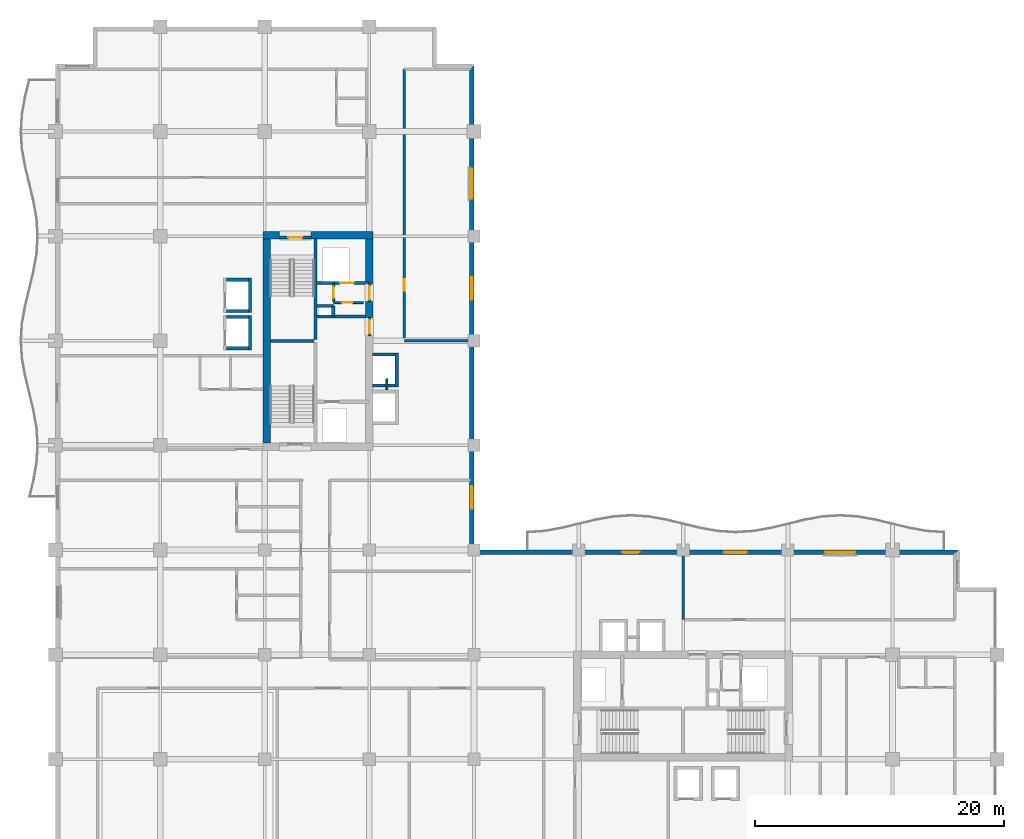
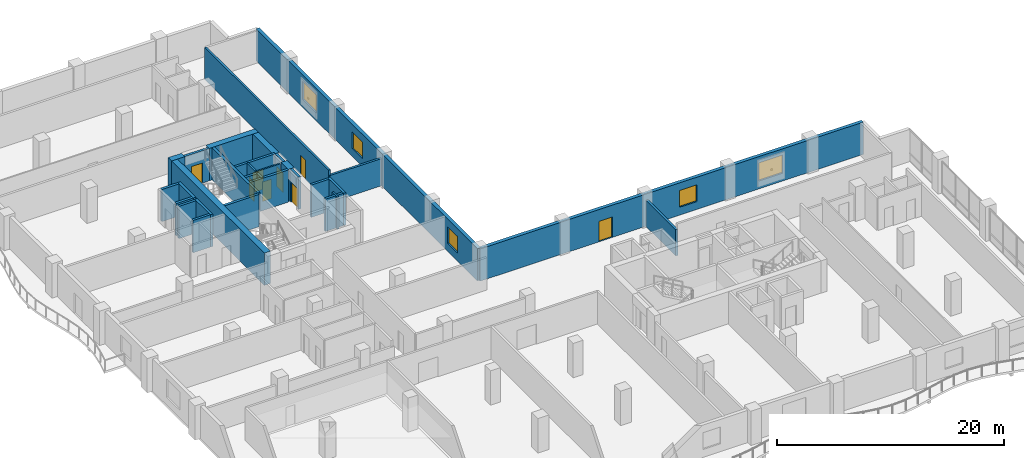
# One storey, part 12 of 20: 31 walls, 8 doors, 5 windows, 13 openings.
"""IFC4 building model written with IfcOpenShell, lengths in metres."""

import ifcopenshell
import ifcopenshell.guid

model = None  # the IFC model being written
_history = None  # IfcOwnerHistory: only IFC2X3 demands one
_inside = {}  # id of a spatial element -> (the spatial element, [elements in it])
_under = {}  # id of a project, library or spatial element -> (it, [spatial elements below it])
_declared = {}  # id of a project -> (the project, [libraries it declares])
_typed = {}  # id of a type object -> (the type object, [elements of that type])
_made_of = {}  # id of a material, layer set ... -> (it, [elements and type objects made of it])


def new_model(schema):
    """Start an empty IFC model of exactly this schema.

    Asked for "IFC4X3", IfcOpenShell would pick the latest addendum, in which some entities
    have other attributes; the version numbers below select the first issue.
    IFC2X3 requires an IfcOwnerHistory on every rooted entity: one is made here for all.
    """
    global model, _history
    if schema == "IFC4X3":
        model = ifcopenshell.file(schema_version=(4, 3, 0, 0))
    else:
        model = ifcopenshell.file(schema=schema)
    _inside.clear()
    _under.clear()
    _declared.clear()
    _typed.clear()
    _made_of.clear()
    _history = None
    if model.schema == "IFC2X3":
        org = make("IfcOrganization", Name="unknown")
        user = make(
            "IfcPersonAndOrganization",
            ThePerson=make("IfcPerson", FamilyName="unknown"),
            TheOrganization=org,
        )
        app = make(
            "IfcApplication",
            ApplicationDeveloper=org,
            Version="unknown",
            ApplicationFullName="unknown",
            ApplicationIdentifier="unknown",
        )
        _history = make(
            "IfcOwnerHistory",
            OwningUser=user,
            OwningApplication=app,
            ChangeAction="ADDED",
            CreationDate=0,
        )
    return model


def make(cls, **values):
    """One entity of the class cls with the attributes given. An attribute that is None is left unset."""
    return model.create_entity(
        cls, **{name: value for name, value in values.items() if value is not None}
    )


def rooted(cls, **values):
    """An entity with a GlobalId (a new one), such as an element, a storey or a relation."""
    return make(cls, GlobalId=ifcopenshell.guid.new(), OwnerHistory=_history, **values)


def si_unit(unit_type, name, prefix=None):
    """IfcSIUnit, for example si_unit("LENGTHUNIT", "METRE", prefix="MILLI")."""
    return make("IfcSIUnit", UnitType=unit_type, Prefix=prefix, Name=name)


def assignment(units):
    """IfcUnitAssignment: the units of a project."""
    return None if units is None else make("IfcUnitAssignment", Units=units)


def point(xyz):
    """IfcCartesianPoint."""
    return None if xyz is None else make("IfcCartesianPoint", Coordinates=xyz)


def direction(xyz):
    """IfcDirection."""
    return None if xyz is None else make("IfcDirection", DirectionRatios=xyz)


def frame(location, z_axis=None, x_axis=None):
    """IfcAxis2Placement3D, a coordinate frame: its origin and axes. An axis left out is left unset."""
    return make(
        "IfcAxis2Placement3D",
        Location=point(location),
        Axis=direction(z_axis),
        RefDirection=direction(x_axis),
    )


def frame_2d(location, x_axis=None):
    """IfcAxis2Placement2D, a coordinate frame in the plane: its origin and x axis."""
    return make(
        "IfcAxis2Placement2D", Location=point(location), RefDirection=direction(x_axis)
    )


def origin():
    """The frame at (0, 0, 0) with its axes left unset."""
    return frame((0.0, 0.0, 0.0))


def place(relative_to, where):
    """IfcLocalPlacement: puts the frame where relative to a parent placement (None: the world)."""
    return make(
        "IfcLocalPlacement", PlacementRelTo=relative_to, RelativePlacement=where
    )


def context(
    kind, dimensions, precision=None, world=None, true_north=None, identifier=None
):
    """IfcGeometricRepresentationContext, for example the 3D "Model" context."""
    return make(
        "IfcGeometricRepresentationContext",
        ContextIdentifier=identifier,
        ContextType=kind,
        CoordinateSpaceDimension=dimensions,
        Precision=precision,
        WorldCoordinateSystem=world,
        TrueNorth=true_north,
    )


def subcontext(parent, identifier, kind, view, scale=None):
    """IfcGeometricRepresentationSubContext, for example "Body" below "Model"."""
    return make(
        "IfcGeometricRepresentationSubContext",
        ContextIdentifier=identifier,
        ContextType=kind,
        ParentContext=parent,
        TargetScale=scale,
        TargetView=view,
    )


def project(units=None, contexts=None):
    """IfcProject with its units and contexts."""
    return rooted(
        "IfcProject",
        Name="project",
        RepresentationContexts=contexts,
        UnitsInContext=assignment(units),
    )


def spatial(cls, under=None, at=None, **own):
    """A site, building, storey or space (cls), placed at a placement, below another one or the project."""
    s = rooted(cls, ObjectPlacement=at, **own)
    if under is not None:
        _under.setdefault(under.id(), (under, []))[1].append(s)
    return s


def profile(cls, at=None, kind="AREA", **sizes):
    """A parametric profile (cls). Its sizes go by their IFC names, for example OverallWidth=200.0."""
    return make(cls, ProfileType=kind, Position=at, **sizes)


def rectangle(**sizes):
    """IfcRectangleProfileDef."""
    return profile("IfcRectangleProfileDef", **sizes)


def extrude(swept, where, along, depth):
    """IfcExtrudedAreaSolid: the profile swept, set in the frame where, extruded along a direction by depth."""
    return make(
        "IfcExtrudedAreaSolid",
        SweptArea=swept,
        Position=where,
        ExtrudedDirection=direction(along),
        Depth=depth,
    )


def shape(context_of_items, identifier, shape_type, items):
    """IfcShapeRepresentation: the items that make up one representation, for example the "Body"."""
    return make(
        "IfcShapeRepresentation",
        ContextOfItems=context_of_items,
        RepresentationIdentifier=identifier,
        RepresentationType=shape_type,
        Items=items,
    )


def material(Name=None, Category=None):
    """IfcMaterial."""
    return make("IfcMaterial", Name=Name, Category=Category)


def layer(
    of_material, thickness, ventilated=None, Name=None, Category=None, Priority=None
):
    """IfcMaterialLayer: one layer of a wall or slab, of a material (None: an air gap)."""
    return make(
        "IfcMaterialLayer",
        Material=of_material,
        LayerThickness=thickness,
        IsVentilated=ventilated,
        Name=Name,
        Category=Category,
        Priority=Priority,
    )


def layer_set(layers, Name=None):
    """IfcMaterialLayerSet."""
    return make("IfcMaterialLayerSet", MaterialLayers=layers, LayerSetName=Name)


def made_of(thing, what):
    """Note that an element or type object is made of a material, layer set ...; save() writes the relation."""
    if what is not None:
        _made_of.setdefault(what.id(), (what, []))[1].append(thing)
    return thing


def type_object(cls, material=None, **own):
    """A type object (cls), such as IfcWallType, which elements share."""
    return made_of(rooted(cls, **own), material)


def element(
    cls,
    number,
    at=None,
    inside=None,
    cuts=None,
    type_object=None,
    material=None,
    context=None,
    identifier="Body",
    shape_type=None,
    held_by="IfcProductDefinitionShape",
    body=None,
    shapes=None,
    **own,
):
    """One element of the class cls, such as IfcWall. Its Tag is "e" and its number.

    at: its placement. inside: the storey or other place that contains it. cuts: it is an
    opening in that element (IfcRelVoidsElement). A single representation is given by context,
    identifier, shape_type and body (its items); several are given by shapes. held_by: the class
    of the entity that holds the representations. save() writes the other relations.
    """
    e = rooted(cls, Tag="e%d" % number, ObjectPlacement=at, **own)
    if body is not None:
        shapes = [shape(context, identifier, shape_type, body)]
    if shapes is not None:
        e.Representation = make(held_by, Representations=shapes)
    if inside is not None:
        _inside.setdefault(inside.id(), (inside, []))[1].append(e)
    if cuts is not None:
        rooted(
            "IfcRelVoidsElement", RelatingBuildingElement=cuts, RelatedOpeningElement=e
        )
    if type_object is not None:
        _typed.setdefault(type_object.id(), (type_object, []))[1].append(e)
    return made_of(e, material)


def fill(opening, filler):
    """IfcRelFillsElement: the door or window that sits in an opening."""
    return rooted(
        "IfcRelFillsElement",
        RelatingOpeningElement=opening,
        RelatedBuildingElement=filler,
    )


def aggregate(whole, parts):
    """IfcRelAggregates: a whole, such as a stair, and the parts it consists of."""
    return rooted("IfcRelAggregates", RelatingObject=whole, RelatedObjects=parts)


def save(model, path):
    """Write the relations noted so far, then the file.

    IfcRelAggregates (storeys below a building ...), IfcRelContainedInSpatialStructure (elements
    in a storey), IfcRelDefinesByType, IfcRelAssociatesMaterial and IfcRelDeclares: one each for
    every whole, place, type object, material and project.
    """
    for whole, parts in _under.values():
        aggregate(whole, parts)
    for where, things in _inside.values():
        rooted(
            "IfcRelContainedInSpatialStructure",
            RelatedElements=things,
            RelatingStructure=where,
        )
    for kind, things in _typed.values():
        rooted("IfcRelDefinesByType", RelatedObjects=things, RelatingType=kind)
    for what, things in _made_of.values():
        rooted("IfcRelAssociatesMaterial", RelatedObjects=things, RelatingMaterial=what)
    for by, libraries in _declared.values():
        rooted("IfcRelDeclares", RelatingContext=by, RelatedDefinitions=libraries)
    model.write(path)


model = new_model("IFC4")

# Units and contexts
model_context = context("Model", 3, precision=1e-05, world=origin(), true_north=direction((0.0, 1.0)))
body_context = subcontext(model_context, "Body", "Model", "MODEL_VIEW")
ifc_project = project(units=[si_unit("LENGTHUNIT", "METRE"), si_unit("AREAUNIT", "SQUARE_METRE"), si_unit("VOLUMEUNIT", "CUBIC_METRE"), si_unit("PLANEANGLEUNIT", "RADIAN"), si_unit("MASSUNIT", "GRAM", prefix="KILO")], contexts=[model_context])

# Site, building, storey
site_placement = place(None, origin())
site = spatial("IfcSite", under=ifc_project, at=site_placement, CompositionType="ELEMENT")
building_placement = place(site_placement, origin())
building = spatial("IfcBuilding", under=site, at=building_placement, Name="Koriwani Terraces Tower", CompositionType="ELEMENT")
storey_placement = place(building_placement, frame((0.0, 0.0, 212.39990234375)))
storey = spatial("IfcBuildingStorey", under=building, at=storey_placement, Name="L52", CompositionType="ELEMENT", Elevation=212.39990234375)

# Walls
ifc_material_1 = material(Name="Concrete C60/75", Category="concrete")
ifc_layer_1 = layer(ifc_material_1, 0.60009765625, Name="Concrete C60/75")
ifc_layer_set_1 = layer_set([ifc_layer_1], Name="Concrete C60/75")
wall_type_1 = type_object("IfcWallType", Name="WALL_CORE_RC_600", PredefinedType="SHEAR", material=ifc_layer_set_1)
wall_1_placement = place(storey_placement, frame((16.64990234375, 58.85009765625, 0.0), z_axis=(0.0, 0.0, 1.0), x_axis=(1.0, 0.0, 0.0)))
element("IfcWall", 1, at=wall_1_placement, inside=storey, type_object=wall_type_1, Name="L52 West Split Core Shear Wall N1", PredefinedType="SHEAR", context=body_context, shape_type="SweptSolid", body=[
    extrude(rectangle(XDim=1.35009765625, YDim=0.60009765625, at=frame_2d((0.675048828125, 0.0))), origin(), (0.0, 0.0, 1.0), 3.47021484375),
])
wall_2_placement = place(storey_placement, frame((20.5, 58.85009765625, 0.0), z_axis=(0.0, 0.0, 1.0), x_axis=(1.0, 0.0, 0.0)))
element("IfcWall", 2, at=wall_2_placement, inside=storey, type_object=wall_type_1, Name="L52 West Split Core Shear Wall N2", PredefinedType="SHEAR", context=body_context, shape_type="SweptSolid", body=[
    extrude(rectangle(XDim=5.0, YDim=0.60009765625, at=frame_2d((2.5, 0.0))), origin(), (0.0, 0.0, 1.0), 3.47021484375),
])
wall_3_placement = place(storey_placement, frame((16.949951171875, 42.199951171875, 0.0), z_axis=(0.0, 0.0, 1.0), x_axis=(0.0, 1.0, 0.0)))
element("IfcWall", 3, at=wall_3_placement, inside=storey, type_object=wall_type_1, Name="L52 West Split Core Shear Wall W1", PredefinedType="SHEAR", context=body_context, shape_type="SweptSolid", body=[
    extrude(rectangle(XDim=16.35009765625, YDim=0.60009765625, at=frame_2d((8.175048828125, 0.0))), origin(), (0.0, 0.0, 1.0), 3.47021484375),
])
wall_4_placement = place(storey_placement, frame((25.199951171875, 52.280029296875, 0.0), z_axis=(0.0, 0.0, 1.0), x_axis=(0.0, 1.0, 0.0)))
element("IfcWall", 4, at=wall_4_placement, inside=storey, type_object=wall_type_1, Name="L52 West Split Core Shear Wall E2", PredefinedType="SHEAR", context=body_context, shape_type="SweptSolid", body=[
    extrude(rectangle(XDim=1.27001953125, YDim=0.60009765625, at=frame_2d((0.635009765625, 0.0))), origin(), (0.0, 0.0, 1.0), 3.47021484375),
])
wall_5_placement = place(storey_placement, frame((25.199951171875, 54.949951171875, 0.0), z_axis=(0.0, 0.0, 1.0), x_axis=(0.0, 1.0, 0.0)))
element("IfcWall", 5, at=wall_5_placement, inside=storey, type_object=wall_type_1, Name="L52 West Split Core Shear Wall E3", PredefinedType="SHEAR", context=body_context, shape_type="SweptSolid", body=[
    extrude(rectangle(XDim=3.60009765625, YDim=0.60009765625, at=frame_2d((1.800048828125, 0.0))), origin(), (0.0, 0.0, 1.0), 3.47021484375),
])

# Wall, opening, door
ifc_material_2 = material(Name="Autoclaved Cellular Concrete Blockwork", Category="masonry")
ifc_layer_2 = layer(ifc_material_2, 0.199951171875, Name="Autoclaved Cellular Concrete Blockwork")
ifc_layer_set_2 = layer_set([ifc_layer_2], Name="Autoclaved Cellular Concrete Blockwork")
wall_type_2 = type_object("IfcWallType", Name="WALL_CORRIDOR_200", PredefinedType="PARTITIONING", material=ifc_layer_set_2)
wall_6_placement = place(storey_placement, frame((28.0, 50.39990234375, 0.0), z_axis=(0.0, 0.0, 1.0), x_axis=(0.0, 1.0, 0.0)))
wall_6 = element("IfcWall", 6, at=wall_6_placement, inside=storey, type_object=wall_type_2, Name="L52 Interior Wall WNEC-W-L52", PredefinedType="PARTITIONING", context=body_context, shape_type="SweptSolid", body=[
    extrude(rectangle(XDim=21.800048828125, YDim=0.199951171875, at=frame_2d((10.89990234375, 0.0))), origin(), (0.0, 0.0, 1.0), 3.47021484375),
])
opening_1_placement = place(wall_6_placement, frame((4.0, 0.0, 0.0)))
opening_1 = element("IfcOpeningElement", 7, at=opening_1_placement, cuts=wall_6, Name="Opening D-06", PredefinedType="OPENING", context=body_context, shape_type="SweptSolid", body=[
    extrude(rectangle(XDim=0.919921875, YDim=2.10009765625, at=frame_2d((0.4599609375, 1.050048828125))), frame((0.0, 0.10986328125, 0.0), z_axis=(0.0, -1.0, 0.0), x_axis=(1.0, 0.0, 0.0)), (0.0, 0.0, 1.0), 0.219970703125),
])
ifc_material_3 = material(Name="Architectural Oak Fire Door", Category="wood")
door_type_1 = type_object("IfcDoorType", Name="DOOR_ROOM_INT_920X2100", OperationType="NOTDEFINED", PredefinedType="DOOR", material=ifc_material_3)
door_1_placement = place(opening_1_placement, origin())
door_1 = element("IfcDoor", 8, at=door_1_placement, inside=storey, type_object=door_type_1, Name="L52 North Court Study Door", OperationType="SINGLE_SWING_LEFT", OverallHeight=2.10009765625, OverallWidth=0.919921875, PredefinedType="DOOR", context=body_context, shape_type="SweptSolid", body=[
    extrude(rectangle(XDim=0.919921875, YDim=2.10009765625, at=frame_2d((0.4599609375, 1.050048828125))), frame((0.0, 0.02490234375, 0.0), z_axis=(0.0, -1.0, 0.0), x_axis=(1.0, 0.0, 0.0)), (0.0, 0.0, 1.0), 0.050048828125),
])
fill(opening_1, door_1)

# Walls
ifc_layer_3 = layer(ifc_material_2, 0.219970703125, Name="Autoclaved Cellular Concrete Blockwork")
ifc_layer_set_3 = layer_set([ifc_layer_3], Name="Autoclaved Cellular Concrete Blockwork")
wall_type_3 = type_object("IfcWallType", Name="WALL_DEMISING_220", PredefinedType="PARTITIONING", material=ifc_layer_set_3)
wall_7_placement = place(storey_placement, frame((28.0, 50.39990234375, 0.0), z_axis=(0.0, 0.0, 1.0), x_axis=(1.0, 0.0, 0.0)))
element("IfcWall", 9, at=wall_7_placement, inside=storey, type_object=wall_type_3, Name="L52 Interior Wall WNEC-S-L52", PredefinedType="PARTITIONING", context=body_context, shape_type="SweptSolid", body=[
    extrude(rectangle(XDim=5.300048828125, YDim=0.219970703125, at=frame_2d((2.64990234375, 0.0))), origin(), (0.0, 0.0, 1.0), 2.93115234375),
])
wall_8_placement = place(storey_placement, frame((50.39990234375, 28.0, 0.0), z_axis=(0.0, 0.0, 1.0), x_axis=(0.0, 1.0, 0.0)))
element("IfcWall", 10, at=wall_8_placement, inside=storey, type_object=wall_type_3, Name="L52 Interior Wall WSEC-W-L52", PredefinedType="PARTITIONING", context=body_context, shape_type="SweptSolid", body=[
    extrude(rectangle(XDim=5.300048828125, YDim=0.219970703125, at=frame_2d((2.64990234375, 0.0))), origin(), (0.0, 0.0, 1.0), 2.820068359375),
])

# Wall, openings, windows
ifc_material_4 = material(Name="Concrete C50/60", Category="concrete")
ifc_layer_4 = layer(ifc_material_4, 0.35009765625, Name="Concrete C50/60")
ifc_layer_set_4 = layer_set([ifc_layer_4], Name="Concrete C50/60")
wall_type_4 = type_object("IfcWallType", Name="WALL_EXT_BRUTALIST_350", PredefinedType="STANDARD", material=ifc_layer_set_4)
wall_9_placement = place(storey_placement, frame((33.425048828125, 72.425048828125, 0.0), z_axis=(0.0, 0.0, 1.0), x_axis=(0.0, -1.0, 0.0)))
wall_9 = element("IfcWall", 11, at=wall_9_placement, inside=storey, type_object=wall_type_4, Name="L52 Fair-Faced Brutalist Exterior Wall (NW_IN)", PredefinedType="STANDARD", context=body_context, shape_type="SweptSolid", body=[
    extrude(rectangle(XDim=39.0, YDim=0.35009765625, at=frame_2d((19.5, 0.0))), origin(), (0.0, 0.0, 1.0), 3.47021484375),
])
opening_2_placement = place(wall_9_placement, frame((33.72509765625, 0.0, 0.85009765625)))
opening_2 = element("IfcOpeningElement", 12, at=opening_2_placement, cuts=wall_9, Name="Opening W-04", PredefinedType="OPENING", context=body_context, shape_type="SweptSolid", body=[
    extrude(rectangle(XDim=1.800048828125, YDim=1.800048828125, at=frame_2d((0.89990234375, 0.89990234375))), frame((0.0, 0.18505859375, 0.0), z_axis=(0.0, -1.0, 0.0), x_axis=(1.0, 0.0, 0.0)), (0.0, 0.0, 1.0), 0.3701171875),
])
opening_3_placement = place(wall_9_placement, frame((16.925048828125, 0.0, 0.85009765625)))
opening_3 = element("IfcOpeningElement", 13, at=opening_3_placement, cuts=wall_9, Name="Opening W-04", PredefinedType="OPENING", context=body_context, shape_type="SweptSolid", body=[
    extrude(rectangle(XDim=1.800048828125, YDim=1.800048828125, at=frame_2d((0.89990234375, 0.89990234375))), frame((0.0, 0.18505859375, 0.0), z_axis=(0.0, -1.0, 0.0), x_axis=(1.0, 0.0, 0.0)), (0.0, 0.0, 1.0), 0.3701171875),
])
opening_4_placement = place(wall_9_placement, frame((8.22509765625, 0.0, 0.85009765625)))
opening_4 = element("IfcOpeningElement", 14, at=opening_4_placement, cuts=wall_9, Name="Opening W-03", PredefinedType="OPENING", context=body_context, shape_type="SweptSolid", body=[
    extrude(rectangle(XDim=2.39990234375, YDim=1.949951171875, at=frame_2d((1.199951171875, 0.97509765625))), frame((0.0, 0.18505859375, 0.0), z_axis=(0.0, -1.0, 0.0), x_axis=(1.0, 0.0, 0.0)), (0.0, 0.0, 1.0), 0.3701171875),
])
ifc_material_5 = material(Name="Tempered Laminated Low-E Glass", Category="glass")
window_type_1 = type_object("IfcWindowType", Name="WIN_RES_BED_1800X1800", PartitioningType="DOUBLE_PANEL_VERTICAL", PredefinedType="WINDOW", material=ifc_material_5)
window_1_placement = place(opening_2_placement, origin())
window_1 = element("IfcWindow", 15, at=window_1_placement, inside=storey, type_object=window_type_1, Name="L52 Exterior Window (NW_IN-2)", OverallHeight=1.800048828125, OverallWidth=1.800048828125, PartitioningType="SINGLE_PANEL", PredefinedType="WINDOW", context=body_context, shape_type="SweptSolid", body=[
    extrude(rectangle(XDim=1.800048828125, YDim=1.800048828125, at=frame_2d((0.89990234375, 0.89990234375))), frame((0.0, 0.030029296875, 0.0), z_axis=(0.0, -1.0, 0.0), x_axis=(1.0, 0.0, 0.0)), (0.0, 0.0, 1.0), 0.06005859375),
])
fill(opening_2, window_1)
window_2_placement = place(opening_3_placement, origin())
window_2 = element("IfcWindow", 16, at=window_2_placement, inside=storey, type_object=window_type_1, Name="L52 Exterior Window (NW_IN-8)", OverallHeight=1.800048828125, OverallWidth=1.800048828125, PartitioningType="SINGLE_PANEL", PredefinedType="WINDOW", context=body_context, shape_type="SweptSolid", body=[
    extrude(rectangle(XDim=1.800048828125, YDim=1.800048828125, at=frame_2d((0.89990234375, 0.89990234375))), frame((0.0, 0.030029296875, 0.0), z_axis=(0.0, -1.0, 0.0), x_axis=(1.0, 0.0, 0.0)), (0.0, 0.0, 1.0), 0.06005859375),
])
fill(opening_3, window_2)
window_type_2 = type_object("IfcWindowType", Name="WIN_RES_LIVING_2400X1950", PartitioningType="DOUBLE_PANEL_VERTICAL", PredefinedType="WINDOW", material=ifc_material_5)
window_3_placement = place(opening_4_placement, origin())
window_3 = element("IfcWindow", 17, at=window_3_placement, inside=storey, type_object=window_type_2, Name="L52 Exterior Window (NW_IN-11)", OverallHeight=1.949951171875, OverallWidth=2.39990234375, PartitioningType="SINGLE_PANEL", PredefinedType="WINDOW", context=body_context, shape_type="SweptSolid", body=[
    extrude(rectangle(XDim=2.39990234375, YDim=1.949951171875, at=frame_2d((1.199951171875, 0.97509765625))), frame((0.0, 0.030029296875, 0.0), z_axis=(0.0, -1.0, 0.0), x_axis=(1.0, 0.0, 0.0)), (0.0, 0.0, 1.0), 0.06005859375),
])
fill(opening_4, window_3)

# Wall, openings, door, windows
wall_10_placement = place(storey_placement, frame((33.425048828125, 33.425048828125, 0.0), z_axis=(0.0, 0.0, 1.0), x_axis=(1.0, 0.0, 0.0)))
wall_10 = element("IfcWall", 18, at=wall_10_placement, inside=storey, type_object=wall_type_4, Name="L52 Fair-Faced Brutalist Exterior Wall (NE)", PredefinedType="STANDARD", context=body_context, shape_type="SweptSolid", body=[
    extrude(rectangle(XDim=39.0, YDim=0.35009765625, at=frame_2d((19.5, 0.0))), origin(), (0.0, 0.0, 1.0), 3.47021484375),
])
opening_5_placement = place(wall_10_placement, frame((12.074951171875, 0.0, 0.0)))
opening_5 = element("IfcOpeningElement", 19, at=opening_5_placement, cuts=wall_10, Name="Opening D-09", PredefinedType="OPENING", context=body_context, shape_type="SweptSolid", body=[
    extrude(rectangle(XDim=1.39990234375, YDim=2.199951171875, at=frame_2d((0.699951171875, 1.10009765625))), frame((0.0, 0.18505859375, 0.0), z_axis=(0.0, -1.0, 0.0), x_axis=(1.0, 0.0, 0.0)), (0.0, 0.0, 1.0), 0.3701171875),
])
opening_6_placement = place(wall_10_placement, frame((20.27490234375, 0.0, 0.85009765625)))
opening_6 = element("IfcOpeningElement", 20, at=opening_6_placement, cuts=wall_10, Name="Opening W-04", PredefinedType="OPENING", context=body_context, shape_type="SweptSolid", body=[
    extrude(rectangle(XDim=1.800048828125, YDim=1.800048828125, at=frame_2d((0.89990234375, 0.89990234375))), frame((0.0, 0.18505859375, 0.0), z_axis=(0.0, -1.0, 0.0), x_axis=(1.0, 0.0, 0.0)), (0.0, 0.0, 1.0), 0.3701171875),
])
opening_7_placement = place(wall_10_placement, frame((28.375, 0.0, 0.85009765625)))
opening_7 = element("IfcOpeningElement", 21, at=opening_7_placement, cuts=wall_10, Name="Opening W-03", PredefinedType="OPENING", context=body_context, shape_type="SweptSolid", body=[
    extrude(rectangle(XDim=2.39990234375, YDim=1.949951171875, at=frame_2d((1.199951171875, 0.97509765625))), frame((0.0, 0.18505859375, 0.0), z_axis=(0.0, -1.0, 0.0), x_axis=(1.0, 0.0, 0.0)), (0.0, 0.0, 1.0), 0.3701171875),
])
ifc_material_6 = material(Name="Anodised Bronze Aluminium", Category="aluminium")
door_type_2 = type_object("IfcDoorType", Name="DOOR_BALCONY_GLAZED_1400X2200", OperationType="NOTDEFINED", PredefinedType="DOOR", material=ifc_material_6)
door_2_placement = place(opening_5_placement, origin())
door_2 = element("IfcDoor", 22, at=door_2_placement, inside=storey, type_object=door_type_2, Name="L52 Inner Court Balcony Glazed Door", OperationType="SINGLE_SWING_LEFT", OverallHeight=2.199951171875, OverallWidth=1.39990234375, PredefinedType="DOOR", context=body_context, shape_type="SweptSolid", body=[
    extrude(rectangle(XDim=1.39990234375, YDim=2.199951171875, at=frame_2d((0.699951171875, 1.10009765625))), frame((0.0, 0.02490234375, 0.0), z_axis=(0.0, -1.0, 0.0), x_axis=(1.0, 0.0, 0.0)), (0.0, 0.0, 1.0), 0.050048828125),
])
fill(opening_5, door_2)
window_4_placement = place(opening_6_placement, origin())
window_4 = element("IfcWindow", 23, at=window_4_placement, inside=storey, type_object=window_type_1, Name="L52 Exterior Window (NE-8)", OverallHeight=1.800048828125, OverallWidth=1.800048828125, PartitioningType="SINGLE_PANEL", PredefinedType="WINDOW", context=body_context, shape_type="SweptSolid", body=[
    extrude(rectangle(XDim=1.800048828125, YDim=1.800048828125, at=frame_2d((0.89990234375, 0.89990234375))), frame((0.0, 0.030029296875, 0.0), z_axis=(0.0, -1.0, 0.0), x_axis=(1.0, 0.0, 0.0)), (0.0, 0.0, 1.0), 0.06005859375),
])
fill(opening_6, window_4)
window_5_placement = place(opening_7_placement, origin())
window_5 = element("IfcWindow", 24, at=window_5_placement, inside=storey, type_object=window_type_2, Name="L52 Exterior Window (NE-11)", OverallHeight=1.949951171875, OverallWidth=2.39990234375, PartitioningType="SINGLE_PANEL", PredefinedType="WINDOW", context=body_context, shape_type="SweptSolid", body=[
    extrude(rectangle(XDim=2.39990234375, YDim=1.949951171875, at=frame_2d((1.199951171875, 0.97509765625))), frame((0.0, 0.030029296875, 0.0), z_axis=(0.0, -1.0, 0.0), x_axis=(1.0, 0.0, 0.0)), (0.0, 0.0, 1.0), 0.06005859375),
])
fill(opening_7, window_5)

# Walls
ifc_material_7 = material(Name="Concrete C40/50", Category="concrete")
ifc_layer_5 = layer(ifc_material_7, 0.25, Name="Concrete C40/50")
ifc_layer_set_5 = layer_set([ifc_layer_5], Name="Concrete C40/50")
wall_type_5 = type_object("IfcWallType", Name="WALL_SHAFT_RATED_250", PredefinedType="SOLIDWALL", material=ifc_layer_set_5)
wall_11_placement = place(storey_placement, frame((20.875, 50.5, 0.0), z_axis=(0.0, 0.0, 1.0), x_axis=(0.0, 1.0, 0.0)))
element("IfcWall", 25, at=wall_11_placement, inside=storey, type_object=wall_type_5, Name="L52 West Split Core Web Wall MID2", PredefinedType="SOLIDWALL", context=body_context, shape_type="SweptSolid", body=[
    extrude(rectangle(XDim=8.050048828125, YDim=0.25, at=frame_2d((4.02490234375, 0.0))), origin(), (0.0, 0.0, 1.0), 3.47021484375),
])
wall_12_placement = place(storey_placement, frame((17.25, 50.375, 0.0), z_axis=(0.0, 0.0, 1.0), x_axis=(1.0, 0.0, 0.0)))
element("IfcWall", 26, at=wall_12_placement, inside=storey, type_object=wall_type_5, Name="L52 West Split Core Stair Dividing Wall", PredefinedType="SOLIDWALL", context=body_context, shape_type="SweptSolid", body=[
    extrude(rectangle(XDim=3.5, YDim=0.25, at=frame_2d((1.75, 0.0))), origin(), (0.0, 0.0, 1.0), 3.47021484375),
])

# Wall, opening, door
wall_13_placement = place(storey_placement, frame((18.0, 58.675048828125, 0.0), z_axis=(0.0, 0.0, 1.0), x_axis=(1.0, 0.0, 0.0)))
wall_13 = element("IfcWall", 27, at=wall_13_placement, inside=storey, type_object=wall_type_5, Name="L52 Interior Wall WIN-CW-L52-STN", PredefinedType="SOLIDWALL", context=body_context, shape_type="SweptSolid", body=[
    extrude(rectangle(XDim=2.5, YDim=0.25, at=frame_2d((1.25, 0.0))), origin(), (0.0, 0.0, 1.0), 3.47021484375),
])
opening_8_placement = place(wall_13_placement, frame((0.699951171875, 0.0, 0.0)))
opening_8 = element("IfcOpeningElement", 28, at=opening_8_placement, cuts=wall_13, Name="Opening D-03", PredefinedType="OPENING", context=body_context, shape_type="SweptSolid", body=[
    extrude(rectangle(XDim=1.10009765625, YDim=2.14990234375, at=frame_2d((0.550048828125, 1.074951171875))), frame((0.0, 0.135009765625, 0.0), z_axis=(0.0, -1.0, 0.0), x_axis=(1.0, 0.0, 0.0)), (0.0, 0.0, 1.0), 0.27001953125),
])
ifc_material_8 = material(Name="Steel ASTM A572 Grade 50", Category="steel")
door_type_3 = type_object("IfcDoorType", Name="DOOR_STAIR_FIRE_1100X2150", OperationType="NOTDEFINED", PredefinedType="DOOR", material=ifc_material_8)
door_3_placement = place(opening_8_placement, origin())
door_3 = element("IfcDoor", 29, at=door_3_placement, inside=storey, type_object=door_type_3, Name="L52 Exit Stair ST-W2 Door", OperationType="SINGLE_SWING_LEFT", OverallHeight=2.14990234375, OverallWidth=1.10009765625, PredefinedType="DOOR", context=body_context, shape_type="SweptSolid", body=[
    extrude(rectangle(XDim=1.10009765625, YDim=2.14990234375, at=frame_2d((0.550048828125, 1.074951171875))), frame((0.0, 0.02490234375, 0.0), z_axis=(0.0, -1.0, 0.0), x_axis=(1.0, 0.0, 0.0)), (0.0, 0.0, 1.0), 0.050048828125),
])
fill(opening_8, door_3)

wall_14_placement = place(storey_placement, frame((25.199951171875, 50.800048828125, 0.0), z_axis=(0.0, 0.0, 1.0), x_axis=(0.0, 1.0, 0.0)))
wall_14 = element("IfcWall", 30, at=wall_14_placement, inside=storey, type_object=wall_type_5, Name="L52 Interior Wall WIN-CW-L52-EP", PredefinedType="SOLIDWALL", context=body_context, shape_type="SweptSolid", body=[
    extrude(rectangle(XDim=1.47998046875, YDim=0.25, at=frame_2d((0.739990234375, 0.0))), origin(), (0.0, 0.0, 1.0), 3.47021484375),
])
opening_9_placement = place(wall_14_placement, frame((0.179931640625, 0.0, 0.0)))
opening_9 = element("IfcOpeningElement", 31, at=opening_9_placement, cuts=wall_14, Name="Opening D-03", PredefinedType="OPENING", context=body_context, shape_type="SweptSolid", body=[
    extrude(rectangle(XDim=1.10009765625, YDim=2.14990234375, at=frame_2d((0.550048828125, 1.074951171875))), frame((0.0, 0.135009765625, 0.0), z_axis=(0.0, -1.0, 0.0), x_axis=(1.0, 0.0, 0.0)), (0.0, 0.0, 1.0), 0.27001953125),
])
door_4_placement = place(opening_9_placement, origin())
door_4 = element("IfcDoor", 32, at=door_4_placement, inside=storey, type_object=door_type_3, Name="L52 West Firefighting Lobby Door", OperationType="SINGLE_SWING_RIGHT", OverallHeight=2.14990234375, OverallWidth=1.10009765625, PredefinedType="DOOR", context=body_context, shape_type="SweptSolid", body=[
    extrude(rectangle(XDim=1.10009765625, YDim=2.14990234375, at=frame_2d((0.550048828125, 1.074951171875))), frame((0.0, 0.02490234375, 0.0), z_axis=(0.0, -1.0, 0.0), x_axis=(1.0, 0.0, 0.0)), (0.0, 0.0, 1.0), 0.050048828125),
])
fill(opening_9, door_4)

# Wall
wall_15_placement = place(storey_placement, frame((21.0, 52.340087890625, 0.0), z_axis=(0.0, 0.0, 1.0), x_axis=(1.0, 0.0, 0.0)))
element("IfcWall", 33, at=wall_15_placement, inside=storey, type_object=wall_type_5, Name="L52 Interior Wall WIN-CW-L52-FFN", PredefinedType="SOLIDWALL", context=body_context, shape_type="SweptSolid", body=[
    extrude(rectangle(XDim=3.89990234375, YDim=0.25, at=frame_2d((1.949951171875, 0.0))), origin(), (0.0, 0.0, 1.0), 3.47021484375),
])

# Wall, opening, door
wall_16_placement = place(storey_placement, frame((21.0, 55.050048828125, 0.0), z_axis=(0.0, 0.0, 1.0), x_axis=(1.0, 0.0, 0.0)))
wall_16 = element("IfcWall", 34, at=wall_16_placement, inside=storey, type_object=wall_type_5, Name="L52 Interior Wall WIN-CW-L52-SE", PredefinedType="SOLIDWALL", context=body_context, shape_type="SweptSolid", body=[
    extrude(rectangle(XDim=4.14990234375, YDim=0.25, at=frame_2d((2.074951171875, 0.0))), origin(), (0.0, 0.0, 1.0), 3.47021484375),
])
opening_10_placement = place(wall_16_placement, frame((1.85009765625, 0.0, 0.0)))
opening_10 = element("IfcOpeningElement", 35, at=opening_10_placement, cuts=wall_16, Name="Opening LD-01", PredefinedType="OPENING", context=body_context, shape_type="SweptSolid", body=[
    extrude(rectangle(XDim=1.10009765625, YDim=2.14990234375, at=frame_2d((0.550048828125, 1.074951171875))), frame((0.0, 0.135009765625, 0.0), z_axis=(0.0, -1.0, 0.0), x_axis=(1.0, 0.0, 0.0)), (0.0, 0.0, 1.0), 0.27001953125),
])
door_type_4 = type_object("IfcDoorType", Name="DOOR_LIFT_LANDING_1100X2200", OperationType="NOTDEFINED", PredefinedType="DOOR", material=ifc_material_8)
door_5_placement = place(opening_10_placement, origin())
door_5 = element("IfcDoor", 36, at=door_5_placement, inside=storey, type_object=door_type_4, Name="L52 Goods Lift SE-01 Landing Door", OperationType="SLIDING_TO_LEFT", OverallHeight=2.14990234375, OverallWidth=1.10009765625, PredefinedType="DOOR", context=body_context, shape_type="SweptSolid", body=[
    extrude(rectangle(XDim=1.10009765625, YDim=2.14990234375, at=frame_2d((0.550048828125, 1.074951171875))), frame((0.0, 0.02490234375, 0.0), z_axis=(0.0, -1.0, 0.0), x_axis=(1.0, 0.0, 0.0)), (0.0, 0.0, 1.0), 0.050048828125),
])
fill(opening_10, door_5)

wall_17_placement = place(storey_placement, frame((25.199951171875, 53.550048828125, 0.0), z_axis=(0.0, 0.0, 1.0), x_axis=(0.0, 1.0, 0.0)))
wall_17 = element("IfcWall", 37, at=wall_17_placement, inside=storey, type_object=wall_type_5, Name="L52 Interior Wall WIN-CW-L52-EP2", PredefinedType="SOLIDWALL", context=body_context, shape_type="SweptSolid", body=[
    extrude(rectangle(XDim=1.39990234375, YDim=0.25, at=frame_2d((0.699951171875, 0.0))), origin(), (0.0, 0.0, 1.0), 3.47021484375),
])
opening_11_placement = place(wall_17_placement, frame((0.14990234375, 0.0, 0.0)))
opening_11 = element("IfcOpeningElement", 38, at=opening_11_placement, cuts=wall_17, Name="Opening D-03", PredefinedType="OPENING", context=body_context, shape_type="SweptSolid", body=[
    extrude(rectangle(XDim=1.10009765625, YDim=2.14990234375, at=frame_2d((0.550048828125, 1.074951171875))), frame((0.0, 0.135009765625, 0.0), z_axis=(0.0, -1.0, 0.0), x_axis=(1.0, 0.0, 0.0)), (0.0, 0.0, 1.0), 0.27001953125),
])
door_6_placement = place(opening_11_placement, origin())
door_6 = element("IfcDoor", 39, at=door_6_placement, inside=storey, type_object=door_type_3, Name="L52 West Goods Lift Lobby Door", OperationType="SINGLE_SWING_LEFT", OverallHeight=2.14990234375, OverallWidth=1.10009765625, PredefinedType="DOOR", context=body_context, shape_type="SweptSolid", body=[
    extrude(rectangle(XDim=1.10009765625, YDim=2.14990234375, at=frame_2d((0.550048828125, 1.074951171875))), frame((0.0, 0.02490234375, 0.0), z_axis=(0.0, -1.0, 0.0), x_axis=(1.0, 0.0, 0.0)), (0.0, 0.0, 1.0), 0.050048828125),
])
fill(opening_11, door_6)

# Walls
wall_18_placement = place(storey_placement, frame((21.0, 53.199951171875, 0.0), z_axis=(0.0, 0.0, 1.0), x_axis=(1.0, 0.0, 0.0)))
element("IfcWall", 40, at=wall_18_placement, inside=storey, type_object=wall_type_5, Name="L52 Interior Wall WIN-CW-L52-RS1", PredefinedType="SOLIDWALL", context=body_context, shape_type="SweptSolid", body=[
    extrude(rectangle(XDim=1.300048828125, YDim=0.25, at=frame_2d((0.64990234375, 0.0))), origin(), (0.0, 0.0, 1.0), 3.47021484375),
])
wall_19_placement = place(storey_placement, frame((22.300048828125, 52.360107421875, 0.0), z_axis=(0.0, 0.0, 1.0), x_axis=(0.0, 1.0, 0.0)))
element("IfcWall", 41, at=wall_19_placement, inside=storey, type_object=wall_type_5, Name="L52 Interior Wall WIN-CW-L52-RS2", PredefinedType="SOLIDWALL", context=body_context, shape_type="SweptSolid", body=[
    extrude(rectangle(XDim=0.83984375, YDim=0.25, at=frame_2d((0.419921875, 0.0))), origin(), (0.0, 0.0, 1.0), 3.47021484375),
])
wall_20_placement = place(storey_placement, frame((15.60009765625, 49.675048828125, 0.0), z_axis=(0.0, 0.0, 1.0), x_axis=(0.0, 1.0, 0.0)))
element("IfcWall", 42, at=wall_20_placement, inside=storey, type_object=wall_type_5, Name="L52 Interior Wall WIN-LF-PE-M1-L52-B", PredefinedType="SOLIDWALL", context=body_context, shape_type="SweptSolid", body=[
    extrude(rectangle(XDim=2.75, YDim=0.25, at=frame_2d((1.375, 0.0))), origin(), (0.0, 0.0, 1.0), 3.47021484375),
])
for number, where, z_axis, x_axis, name in (
    (43, (13.72509765625, 49.800048828125, 0.0), (0.0, 0.0, 1.0), (1.0, 0.0, 0.0), "L52 Interior Wall WIN-LF-PE-M1-L52-S"),
    (44, (13.72509765625, 52.300048828125, 0.0), (0.0, 0.0, 1.0), (1.0, 0.0, 0.0), "L52 Interior Wall WIN-LF-PE-M1-L52-N"),
):
    element("IfcWall", number, at=place(storey_placement, frame(where, z_axis=z_axis, x_axis=x_axis)), inside=storey, type_object=wall_type_5, Name=name, PredefinedType="SOLIDWALL", context=body_context, shape_type="SweptSolid", body=[
        extrude(rectangle(XDim=1.75, YDim=0.25, at=frame_2d((0.875, 0.0))), origin(), (0.0, 0.0, 1.0), 3.47021484375),
    ])
wall_21_placement = place(storey_placement, frame((15.60009765625, 52.675048828125, 0.0), z_axis=(0.0, 0.0, 1.0), x_axis=(0.0, 1.0, 0.0)))
element("IfcWall", 45, at=wall_21_placement, inside=storey, type_object=wall_type_5, Name="L52 Interior Wall WIN-LF-PE-M2-L52-B", PredefinedType="SOLIDWALL", context=body_context, shape_type="SweptSolid", body=[
    extrude(rectangle(XDim=2.75, YDim=0.25, at=frame_2d((1.375, 0.0))), origin(), (0.0, 0.0, 1.0), 3.47021484375),
])
for number, where, z_axis, x_axis, name in (
    (46, (13.72509765625, 52.800048828125, 0.0), (0.0, 0.0, 1.0), (1.0, 0.0, 0.0), "L52 Interior Wall WIN-LF-PE-M2-L52-S"),
    (47, (13.72509765625, 55.300048828125, 0.0), (0.0, 0.0, 1.0), (1.0, 0.0, 0.0), "L52 Interior Wall WIN-LF-PE-M2-L52-N"),
):
    element("IfcWall", number, at=place(storey_placement, frame(where, z_axis=z_axis, x_axis=x_axis)), inside=storey, type_object=wall_type_5, Name=name, PredefinedType="SOLIDWALL", context=body_context, shape_type="SweptSolid", body=[
        extrude(rectangle(XDim=1.75, YDim=0.25, at=frame_2d((0.875, 0.0))), origin(), (0.0, 0.0, 1.0), 3.47021484375),
    ])
wall_22_placement = place(storey_placement, frame((27.39990234375, 46.675048828125, 0.0), z_axis=(0.0, 0.0, 1.0), x_axis=(0.0, 1.0, 0.0)))
element("IfcWall", 48, at=wall_22_placement, inside=storey, type_object=wall_type_5, Name="L52 Interior Wall WIN-LF-PE-H2-L52-F", PredefinedType="SOLIDWALL", context=body_context, shape_type="SweptSolid", body=[
    extrude(rectangle(XDim=2.75, YDim=0.25, at=frame_2d((1.375, 0.0))), origin(), (0.0, 0.0, 1.0), 3.47021484375),
])
for number, where, z_axis, x_axis, name in (
    (49, (25.449951171875, 46.800048828125, 0.0), (0.0, 0.0, 1.0), (1.0, 0.0, 0.0), "L52 Interior Wall WIN-LF-PE-H2-L52-S"),
    (50, (25.449951171875, 49.300048828125, 0.0), (0.0, 0.0, 1.0), (1.0, 0.0, 0.0), "L52 Interior Wall WIN-LF-PE-H2-L52-N"),
):
    element("IfcWall", number, at=place(storey_placement, frame(where, z_axis=z_axis, x_axis=x_axis)), inside=storey, type_object=wall_type_5, Name=name, PredefinedType="SOLIDWALL", context=body_context, shape_type="SweptSolid", body=[
        extrude(rectangle(XDim=1.824951171875, YDim=0.25, at=frame_2d((0.91259765625, 0.0))), origin(), (0.0, 0.0, 1.0), 3.47021484375),
    ])

# Wall, opening, door
ifc_material_9 = material(Name="Fire-Rated Acoustic Gypsum Partition", Category="masonry")
ifc_layer_6 = layer(ifc_material_9, 0.159912109375, Name="Fire-Rated Acoustic Gypsum Partition")
ifc_layer_set_6 = layer_set([ifc_layer_6], Name="Fire-Rated Acoustic Gypsum Partition")
wall_type_6 = type_object("IfcWallType", Name="WALL_SUITE_160", PredefinedType="PARTITIONING", material=ifc_layer_set_6)
wall_23_placement = place(storey_placement, frame((22.320068359375, 53.56005859375, 0.0), z_axis=(0.0, 0.0, 1.0), x_axis=(0.0, 1.0, 0.0)))
wall_23 = element("IfcWall", 51, at=wall_23_placement, inside=storey, type_object=wall_type_6, Name="L52 Interior Wall WIN-CW-L52-SV1A", PredefinedType="PARTITIONING", context=body_context, shape_type="SweptSolid", body=[
    extrude(rectangle(XDim=1.43994140625, YDim=0.159912109375, at=frame_2d((0.719970703125, 0.0))), origin(), (0.0, 0.0, 1.0), 3.47021484375),
])
opening_12_placement = place(wall_23_placement, frame((0.260009765625, 0.0, 0.0)))
opening_12 = element("IfcOpeningElement", 52, at=opening_12_placement, cuts=wall_23, Name="Opening D-07", PredefinedType="OPENING", context=body_context, shape_type="SweptSolid", body=[
    extrude(rectangle(XDim=0.89990234375, YDim=2.10009765625, at=frame_2d((0.449951171875, 1.050048828125))), frame((0.0, 0.08984375, 0.0), z_axis=(0.0, -1.0, 0.0), x_axis=(1.0, 0.0, 0.0)), (0.0, 0.0, 1.0), 0.179931640625),
])
door_type_5 = type_object("IfcDoorType", Name="DOOR_BATH_INT_900X2100", OperationType="NOTDEFINED", PredefinedType="DOOR", material=ifc_material_3)
door_7_placement = place(opening_12_placement, origin())
door_7 = element("IfcDoor", 53, at=door_7_placement, inside=storey, type_object=door_type_5, Name="L52 West Telecom Room Door", OperationType="SINGLE_SWING_RIGHT", OverallHeight=2.10009765625, OverallWidth=0.89990234375, PredefinedType="DOOR", context=body_context, shape_type="SweptSolid", body=[
    extrude(rectangle(XDim=0.89990234375, YDim=2.10009765625, at=frame_2d((0.449951171875, 1.050048828125))), frame((0.0, 0.02490234375, 0.0), z_axis=(0.0, -1.0, 0.0), x_axis=(1.0, 0.0, 0.0)), (0.0, 0.0, 1.0), 0.050048828125),
])
fill(opening_12, door_7)

wall_24_placement = place(storey_placement, frame((22.320068359375, 53.4599609375, 0.0), z_axis=(0.0, 0.0, 1.0), x_axis=(1.0, 0.0, 0.0)))
wall_24 = element("IfcWall", 54, at=wall_24_placement, inside=storey, type_object=wall_type_6, Name="L52 Interior Wall WIN-CW-L52-SV1B", PredefinedType="PARTITIONING", context=body_context, shape_type="SweptSolid", body=[
    extrude(rectangle(XDim=2.39990234375, YDim=0.159912109375, at=frame_2d((1.199951171875, 0.0))), origin(), (0.0, 0.0, 1.0), 3.47021484375),
])
opening_13_placement = place(wall_24_placement, frame((0.64990234375, 0.0, 0.0)))
opening_13 = element("IfcOpeningElement", 55, at=opening_13_placement, cuts=wall_24, Name="Opening D-07", PredefinedType="OPENING", context=body_context, shape_type="SweptSolid", body=[
    extrude(rectangle(XDim=0.89990234375, YDim=2.10009765625, at=frame_2d((0.449951171875, 1.050048828125))), frame((0.0, 0.08984375, 0.0), z_axis=(0.0, -1.0, 0.0), x_axis=(1.0, 0.0, 0.0)), (0.0, 0.0, 1.0), 0.179931640625),
])
door_8_placement = place(opening_13_placement, origin())
door_8 = element("IfcDoor", 56, at=door_8_placement, inside=storey, type_object=door_type_5, Name="L52 West Cleaners Closet Door", OperationType="SINGLE_SWING_LEFT", OverallHeight=2.10009765625, OverallWidth=0.89990234375, PredefinedType="DOOR", context=body_context, shape_type="SweptSolid", body=[
    extrude(rectangle(XDim=0.89990234375, YDim=2.10009765625, at=frame_2d((0.449951171875, 1.050048828125))), frame((0.0, 0.02490234375, 0.0), z_axis=(0.0, -1.0, 0.0), x_axis=(1.0, 0.0, 0.0)), (0.0, 0.0, 1.0), 0.050048828125),
])
fill(opening_13, door_8)

# Wall
wall_25_placement = place(storey_placement, frame((26.60009765625, 46.4599609375, 0.0), z_axis=(0.0, 0.0, 1.0), x_axis=(0.0, 1.0, 0.0)))
element("IfcWall", 57, at=wall_25_placement, inside=storey, type_object=wall_type_6, Name="L52 Interior Wall WIN-LF-PEH12-MID-L52", PredefinedType="PARTITIONING", context=body_context, shape_type="SweptSolid", body=[
    extrude(rectangle(XDim=0.880126953125, YDim=0.159912109375, at=frame_2d((0.43994140625, 0.0))), origin(), (0.0, 0.0, 1.0), 3.47021484375),
])

save(model, "model.ifc")
